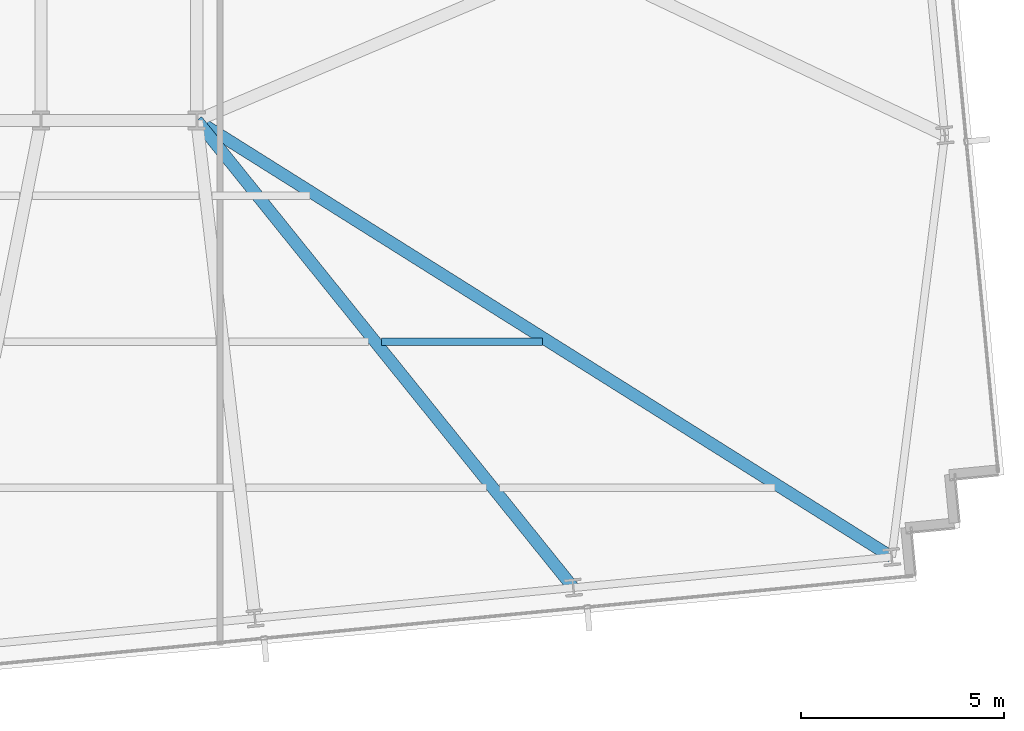
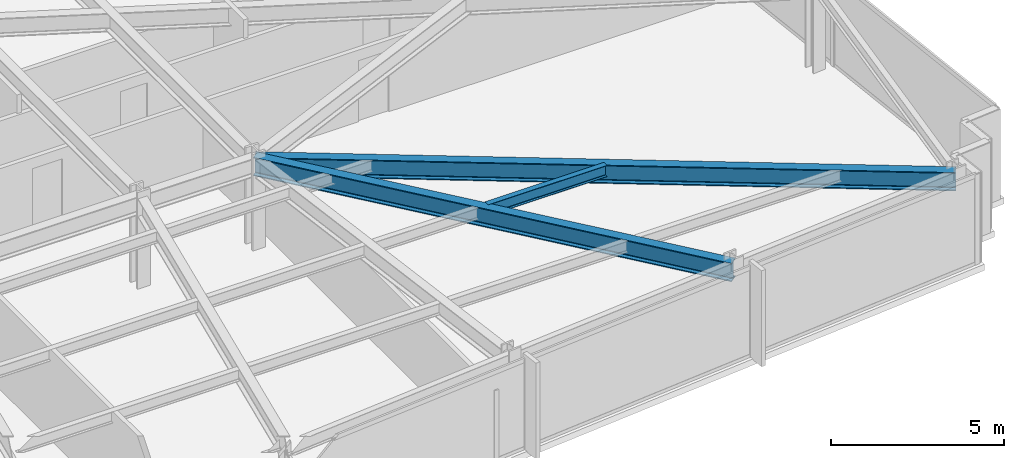
# One storey, part 13 of 32: 3 beams.
"""IFC4 building model written with IfcOpenShell, lengths in metres."""

from ifc_helpers import new_model, si_unit, direction, frame, origin, origin_2d, place, context, subcontext, project, spatial, i_section, extrude, material, material_profile, profile_set, type_object, element, save


model = new_model("IFC4")

# Units and contexts
model_context = context("Model", 3, precision=1e-05, world=origin(), true_north=direction((0.0, 1.0)))
body_context = subcontext(model_context, "Body", "Model", "MODEL_VIEW")
ifc_project = project(units=[si_unit("LENGTHUNIT", "METRE"), si_unit("AREAUNIT", "SQUARE_METRE"), si_unit("VOLUMEUNIT", "CUBIC_METRE"), si_unit("PLANEANGLEUNIT", "RADIAN"), si_unit("MASSUNIT", "GRAM", prefix="KILO")], contexts=[model_context])

# Site, building, storey
site_placement = place(None, origin())
site = spatial("IfcSite", under=ifc_project, at=site_placement, CompositionType="ELEMENT")
building_placement = place(site_placement, origin())
building = spatial("IfcBuilding", under=site, at=building_placement, Name="Yelkora Congress Tower", CompositionType="ELEMENT")
storey_placement = place(building_placement, frame((0.0, 0.0, 113.5)))
storey = spatial("IfcBuildingStorey", under=building, at=storey_placement, Name="L30", CompositionType="ELEMENT", Elevation=113.5)

# Beams
ifc_material = material(Name="Steel S355J2", Category="steel")
ifc_material_profile_1 = material_profile(ifc_material, i_section(OverallWidth=0.300048828125, OverallDepth=0.64990234375, WebThickness=0.01611328125, FlangeThickness=0.031005859375, FilletRadius=0.027099609375, at=origin_2d()), Name="HEB 650")
ifc_profile_set_1 = profile_set([ifc_material_profile_1], Name="Steel S355J2")
beam_type_1 = type_object("IfcBeamType", Name="BM-GIRD-HEB650", PredefinedType="BEAM", material=ifc_profile_set_1)
beam_1_placement = place(storey_placement, frame((66.882568359375, 13.67919921875, 2.85498046875), z_axis=(-0.627405981031, 0.778692323686, 0.0), x_axis=(-0.778692323686, -0.627405981031, 0.0)))
element("IfcBeam", 1, at=beam_1_placement, inside=storey, type_object=beam_type_1, Name="L30 Primary Frame Girder S07", PredefinedType="BEAM", context=body_context, shape_type="SweptSolid", body=[
    extrude(i_section(OverallWidth=0.300048828125, OverallDepth=0.64990234375, WebThickness=0.01611328125, FlangeThickness=0.031005859375, FilletRadius=0.027099609375, at=origin_2d()), origin(), (0.0, 0.0, 1.0), 14.794921875),
])
beam_2_placement = place(storey_placement, frame((74.73193359375, 14.43505859375, 2.85498046875), z_axis=(-0.846718708798, 0.532040814385, 0.0), x_axis=(-0.532040814385, -0.846718708798, 0.0)))
element("IfcBeam", 2, at=beam_2_placement, inside=storey, type_object=beam_type_1, Name="L30 Primary Frame Girder S08", PredefinedType="BEAM", context=body_context, shape_type="SweptSolid", body=[
    extrude(i_section(OverallWidth=0.300048828125, OverallDepth=0.64990234375, WebThickness=0.01611328125, FlangeThickness=0.031005859375, FilletRadius=0.027099609375, at=origin_2d()), origin(), (0.0, 0.0, 1.0), 20.233154296875),
])
ifc_material_profile_2 = material_profile(ifc_material, i_section(OverallWidth=0.179931640625, OverallDepth=0.39990234375, WebThickness=0.008544921875, FlangeThickness=0.013427734375, FilletRadius=0.02099609375, at=origin_2d()), Name="IPE 400")
ifc_profile_set_2 = profile_set([ifc_material_profile_2], Name="Steel S355J2")
beam_type_2 = type_object("IfcBeamType", Name="BM-JOIST-IPE400", PredefinedType="JOIST", material=ifc_profile_set_2)
beam_3_placement = place(storey_placement, frame((62.15576171875, 19.744384765625, 2.97998046875), z_axis=(1.0, 0.0, 0.0), x_axis=(0.0, 1.0, 0.0)))
element("IfcBeam", 3, at=beam_3_placement, inside=storey, type_object=beam_type_2, Name="L30 Composite Floor Joist 17", PredefinedType="JOIST", context=body_context, shape_type="SweptSolid", body=[
    extrude(i_section(OverallWidth=0.179931640625, OverallDepth=0.39990234375, WebThickness=0.008544921875, FlangeThickness=0.013427734375, FilletRadius=0.02099609375, at=origin_2d()), origin(), (0.0, 0.0, 1.0), 3.966552734375),
])

save(model, "model.ifc")
